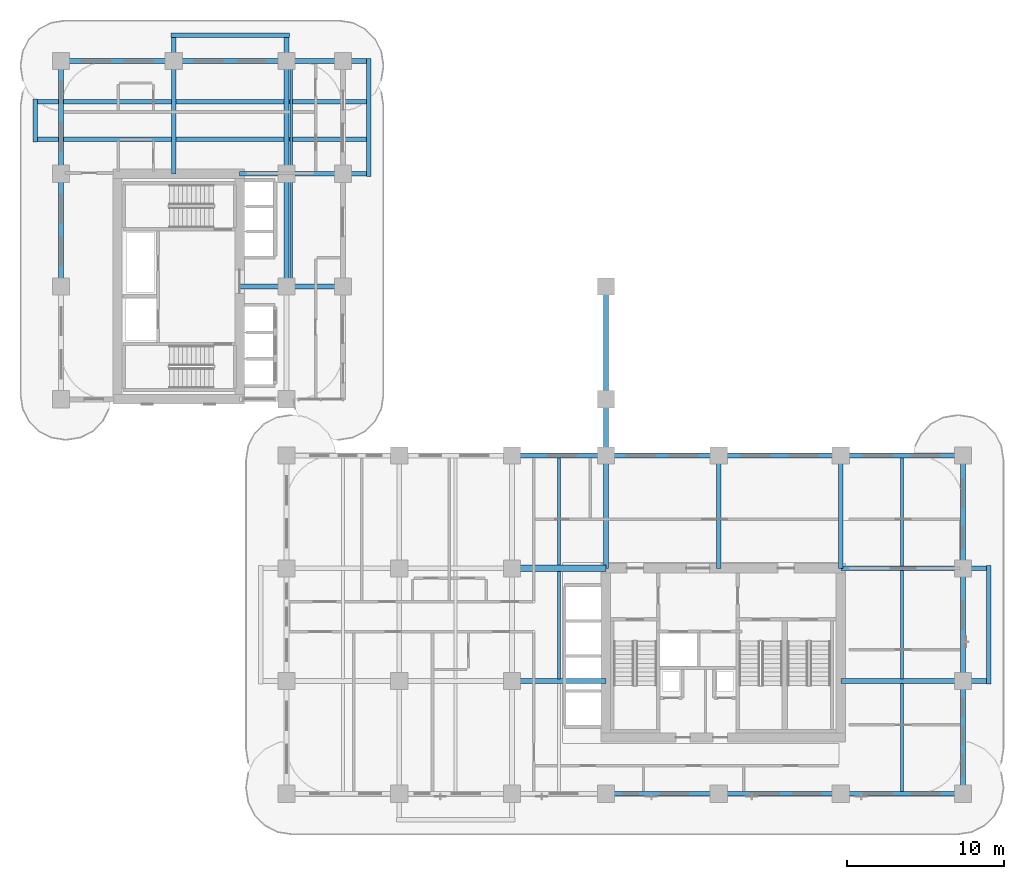
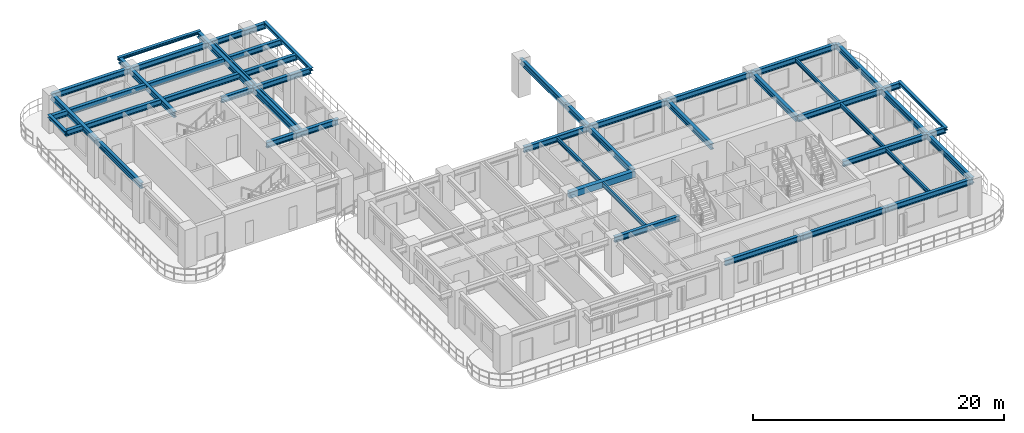
# One storey, part 3 of 19: 41 beams.
"""IFC4 building model written with IfcOpenShell, lengths in metres."""

from ifc_helpers import new_model, si_unit, derived_unit, direction, frame, origin, origin_2d, place, context, subcontext, project, spatial, rectangle, i_section, extrude, source, transform, mapped, material, material_profile, profile_set, type_object, type_shapes, element, save


model = new_model("IFC4")

# Units and contexts
model_context = context("Model", 3, precision=1e-05, world=origin(), true_north=direction((0.0, 1.0)))
body_context = subcontext(model_context, "Body", "Model", "MODEL_VIEW")
ifc_project = project(units=[si_unit("LENGTHUNIT", "METRE"), si_unit("AREAUNIT", "SQUARE_METRE"), si_unit("VOLUMEUNIT", "CUBIC_METRE"), si_unit("PLANEANGLEUNIT", "RADIAN"), si_unit("MASSUNIT", "GRAM", prefix="KILO"), si_unit("THERMODYNAMICTEMPERATUREUNIT", "KELVIN"), si_unit("POWERUNIT", "WATT"), derived_unit("THERMALTRANSMITTANCEUNIT", [(si_unit("POWERUNIT", "WATT"), 1), (si_unit("AREAUNIT", "SQUARE_METRE"), -1), (si_unit("THERMODYNAMICTEMPERATUREUNIT", "KELVIN"), -1)])], contexts=[model_context])

# Site, building, storey
site_placement = place(None, origin())
site = spatial("IfcSite", under=ifc_project, at=site_placement, CompositionType="ELEMENT")
building_placement = place(site_placement, origin())
building = spatial("IfcBuilding", under=site, at=building_placement, Name="Zahravan Archway Hotel and Residences", CompositionType="ELEMENT")
storey_placement = place(building_placement, frame((0.0, 0.0, 54.60009765625)))
storey = spatial("IfcBuildingStorey", under=building, at=storey_placement, Name="L12", CompositionType="ELEMENT", Elevation=54.60009765625)

# Beams
ifc_material_1 = material(Name="Structural Steel S355JR", Category="steel")
ifc_material_profile_1 = material_profile(ifc_material_1, i_section(OverallWidth=0.280029296875, OverallDepth=0.280029296875, WebThickness=0.010498046875, FlangeThickness=0.01806640625, FilletRadius=0.02392578125, at=origin_2d()), Name="HEB 280", Category="steel")
ifc_profile_set_1 = profile_set([ifc_material_profile_1], Name="Structural Steel S355JR")
beam_type_1 = type_object("IfcBeamType", Name="BM-SPN-HEB280", PredefinedType="SPANDREL", material=ifc_profile_set_1)
shared_shape_1 = source(origin(), body_context, "Body", "SweptSolid", [
    extrude(i_section(OverallWidth=0.280029296875, OverallDepth=0.280029296875, WebThickness=0.010498046875, FlangeThickness=0.01806640625, FilletRadius=0.02392578125, at=origin_2d()), origin(), (0.0, 0.0, 1.0), 7.56005859375),
])
type_shapes(beam_type_1, [shared_shape_1])
for number, where, z_axis, x_axis, name in (
    (1, (59.25, 7.02001953125, 3.309814453125), (0.0, 1.0, 0.0), (-1.0, 0.0, 0.0), "L13 EA Balcony Edge Spandrel"),
    (2, (19.64990234375, 39.419921875, 3.309814453125), (0.0, 1.0, 0.0), (-1.0, 0.0, 0.0), "L13 EB Balcony Edge Spandrel"),
    (3, (7.02001953125, 48.449951171875, 3.309814453125), (1.0, 0.0, 0.0), (0.0, 1.0, 0.0), "L13 NB Balcony Edge Spandrel"),
):
    element("IfcBeam", number, at=place(storey_placement, frame(where, z_axis=z_axis, x_axis=x_axis)), inside=storey, type_object=beam_type_1, Name=name, PredefinedType="SPANDREL", context=body_context, shape_type="MappedRepresentation", body=[
        mapped(shared_shape_1, transform((0.0, 0.0, 0.0), scale=1.0)),
    ])
shared_shape_2 = source(origin(), body_context, "Body", "SweptSolid", [
    extrude(i_section(OverallWidth=0.280029296875, OverallDepth=0.280029296875, WebThickness=0.010498046875, FlangeThickness=0.01806640625, FilletRadius=0.02392578125, at=origin_2d()), origin(), (0.0, 0.0, 1.0), 2.759765625),
])
beam_1_placement = place(storey_placement, frame((-1.64990234375, 41.6201171875, 3.309814453125), z_axis=(0.0, 1.0, 0.0), x_axis=(-1.0, 0.0, 0.0)))
element("IfcBeam", 4, at=beam_1_placement, inside=storey, type_object=beam_type_1, Name="L13 WB Balcony Edge Spandrel", PredefinedType="SPANDREL", context=body_context, shape_type="MappedRepresentation", body=[
    mapped(shared_shape_2, transform((0.0, 0.0, 0.0), scale=1.0)),
])
ifc_material_2 = material(Name="Concrete C60/75", Category="concrete")
ifc_material_profile_2 = material_profile(ifc_material_2, rectangle(XDim=0.39990234375, YDim=0.60009765625, at=origin_2d()), Name="RC-LNT-400x600", Category="concrete")
ifc_profile_set_2 = profile_set([ifc_material_profile_2], Name="Concrete C60/75")
beam_type_2 = type_object("IfcBeamType", Name="LNT-RC-400x600", PredefinedType="LINTEL", material=ifc_profile_set_2)
shared_shape_3 = source(origin(), body_context, "Body", "SweptSolid", [
    extrude(rectangle(XDim=0.39990234375, YDim=0.60009765625, at=origin_2d()), origin(), (0.0, 0.0, 1.0), 6.0),
])
type_shapes(beam_type_2, [shared_shape_3])
beam_2_placement = place(storey_placement, frame((28.800048828125, 14.39990234375, 3.14990234375), z_axis=(1.0, 0.0, 0.0), x_axis=(0.0, 1.0, 0.0)))
element("IfcBeam", 5, at=beam_2_placement, inside=storey, type_object=beam_type_2, Name="L12 Core A Coupling Lintel Beam", PredefinedType="LINTEL", context=body_context, shape_type="MappedRepresentation", body=[
    mapped(shared_shape_3, transform((0.0, 0.0, 0.0), scale=1.0)),
])
ifc_material_profile_3 = material_profile(ifc_material_1, i_section(OverallWidth=0.300048828125, OverallDepth=0.550048828125, WebThickness=0.014892578125, FlangeThickness=0.029052734375, FilletRadius=0.027099609375, at=origin_2d()), Name="HEB 550", Category="steel")
ifc_profile_set_3 = profile_set([ifc_material_profile_3], Name="Structural Steel S355JR")
beam_type_3 = type_object("IfcBeamType", Name="BM-PRI-HEB550", PredefinedType="BEAM", material=ifc_profile_set_3)
shared_shape_4 = source(origin(), body_context, "Body", "SweptSolid", [
    extrude(i_section(OverallWidth=0.300048828125, OverallDepth=0.550048828125, WebThickness=0.014892578125, FlangeThickness=0.029052734375, FilletRadius=0.027099609375, at=origin_2d()), origin(), (0.0, 0.0, 1.0), 7.2001953125),
])
type_shapes(beam_type_3, [shared_shape_4])
for number, where, z_axis, x_axis, name in (
    (6, (0.0, 32.39990234375, 3.1748046875), (0.0, 1.0, 0.0), (-1.0, 0.0, 0.0), "L12 Primary Girder NS-28"),
    (7, (14.39990234375, 32.39990234375, 3.1748046875), (0.0, 1.0, 0.0), (-1.0, 0.0, 0.0), "L12 Primary Girder NS-35"),
    (8, (34.800048828125, 14.39990234375, 3.1748046875), (0.0, 1.0, 0.0), (-1.0, 0.0, 0.0), "L12 Primary Girder NS-43"),
    (9, (42.0, 14.39990234375, 3.1748046875), (0.0, 1.0, 0.0), (-1.0, 0.0, 0.0), "L12 Primary Girder NS-46"),
    (10, (49.800048828125, 14.39990234375, 3.1748046875), (0.0, 1.0, 0.0), (-1.0, 0.0, 0.0), "L12 Primary Girder NS-47"),
    (11, (57.60009765625, 14.39990234375, 3.1748046875), (0.0, 1.0, 0.0), (-1.0, 0.0, 0.0), "L12 Primary Girder NS-50"),
):
    element("IfcBeam", number, at=place(storey_placement, frame(where, z_axis=z_axis, x_axis=x_axis)), inside=storey, type_object=beam_type_3, Name=name, PredefinedType="BEAM", context=body_context, shape_type="MappedRepresentation", body=[
        mapped(shared_shape_4, transform((0.0, 0.0, 0.0), scale=1.0)),
    ])
shared_shape_5 = source(origin(), body_context, "Body", "SweptSolid", [
    extrude(i_section(OverallWidth=0.300048828125, OverallDepth=0.550048828125, WebThickness=0.014892578125, FlangeThickness=0.029052734375, FilletRadius=0.027099609375, at=origin_2d()), origin(), (0.0, 0.0, 1.0), 7.199951171875),
])
for number, where, z_axis, x_axis, name in (
    (12, (34.800048828125, 0.0, 3.1748046875), (1.0, 0.0, 0.0), (0.0, 1.0, 0.0), "L12 Primary Girder EW-04"),
    (13, (34.800048828125, 21.60009765625, 3.1748046875), (1.0, 0.0, 0.0), (0.0, 1.0, 0.0), "L12 Primary Girder EW-17"),
    (14, (0.0, 46.800048828125, 3.1748046875), (1.0, 0.0, 0.0), (0.0, 1.0, 0.0), "L12 Primary Girder EW-23"),
    (15, (0.0, 39.60009765625, 3.1748046875), (0.0, 1.0, 0.0), (-1.0, 0.0, 0.0), "L12 Primary Girder NS-29"),
    (16, (34.800048828125, 25.199951171875, 3.1748046875), (0.0, 1.0, 0.0), (-1.0, 0.0, 0.0), "L12 Primary Girder NS-45"),
    (17, (57.60009765625, 0.0, 3.1748046875), (0.0, 1.0, 0.0), (-1.0, 0.0, 0.0), "L12 Primary Girder NS-48"),
    (18, (57.60009765625, 7.199951171875, 3.1748046875), (0.0, 1.0, 0.0), (-1.0, 0.0, 0.0), "L12 Primary Girder NS-49"),
):
    element("IfcBeam", number, at=place(storey_placement, frame(where, z_axis=z_axis, x_axis=x_axis)), inside=storey, type_object=beam_type_3, Name=name, PredefinedType="BEAM", context=body_context, shape_type="MappedRepresentation", body=[
        mapped(shared_shape_5, transform((0.0, 0.0, 0.0), scale=1.0)),
    ])
shared_shape_6 = source(origin(), body_context, "Body", "SweptSolid", [
    extrude(i_section(OverallWidth=0.300048828125, OverallDepth=0.550048828125, WebThickness=0.014892578125, FlangeThickness=0.029052734375, FilletRadius=0.027099609375, at=origin_2d()), origin(), (0.0, 0.0, 1.0), 6.0),
])
for number, where, z_axis, x_axis, name in (
    (19, (28.800048828125, 7.199951171875, 3.1748046875), (1.0, 0.0, 0.0), (0.0, 1.0, 0.0), "L12 Primary Girder EW-09"),
    (20, (28.800048828125, 21.60009765625, 3.1748046875), (1.0, 0.0, 0.0), (0.0, 1.0, 0.0), "L12 Primary Girder EW-16"),
):
    element("IfcBeam", number, at=place(storey_placement, frame(where, z_axis=z_axis, x_axis=x_axis)), inside=storey, type_object=beam_type_3, Name=name, PredefinedType="BEAM", context=body_context, shape_type="MappedRepresentation", body=[
        mapped(shared_shape_6, transform((0.0, 0.0, 0.0), scale=1.0)),
    ])
shared_shape_7 = source(origin(), body_context, "Body", "SweptSolid", [
    extrude(i_section(OverallWidth=0.300048828125, OverallDepth=0.550048828125, WebThickness=0.014892578125, FlangeThickness=0.029052734375, FilletRadius=0.027099609375, at=origin_2d()), origin(), (0.0, 0.0, 1.0), 7.800048828125),
])
for number, where, z_axis, x_axis, name in (
    (21, (42.0, 0.0, 3.1748046875), (1.0, 0.0, 0.0), (0.0, 1.0, 0.0), "L12 Primary Girder EW-05"),
    (22, (49.800048828125, 0.0, 3.1748046875), (1.0, 0.0, 0.0), (0.0, 1.0, 0.0), "L12 Primary Girder EW-06"),
    (23, (42.0, 21.60009765625, 3.1748046875), (1.0, 0.0, 0.0), (0.0, 1.0, 0.0), "L12 Primary Girder EW-18"),
    (24, (49.800048828125, 21.60009765625, 3.1748046875), (1.0, 0.0, 0.0), (0.0, 1.0, 0.0), "L12 Primary Girder EW-19"),
):
    element("IfcBeam", number, at=place(storey_placement, frame(where, z_axis=z_axis, x_axis=x_axis)), inside=storey, type_object=beam_type_3, Name=name, PredefinedType="BEAM", context=body_context, shape_type="MappedRepresentation", body=[
        mapped(shared_shape_7, transform((0.0, 0.0, 0.0), scale=1.0)),
    ])
shared_shape_8 = source(origin(), body_context, "Body", "SweptSolid", [
    extrude(i_section(OverallWidth=0.300048828125, OverallDepth=0.550048828125, WebThickness=0.014892578125, FlangeThickness=0.029052734375, FilletRadius=0.027099609375, at=origin_2d()), origin(), (0.0, 0.0, 1.0), 9.449951171875),
])
for number, where, z_axis, x_axis, name in (
    (25, (49.800048828125, 7.199951171875, 3.1748046875), (1.0, 0.0, 0.0), (0.0, 1.0, 0.0), "L12 Primary Girder EW-10"),
    (26, (49.800048828125, 14.39990234375, 3.1748046875), (1.0, 0.0, 0.0), (0.0, 1.0, 0.0), "L12 Primary Girder EW-13"),
):
    element("IfcBeam", number, at=place(storey_placement, frame(where, z_axis=z_axis, x_axis=x_axis)), inside=storey, type_object=beam_type_3, Name=name, PredefinedType="BEAM", context=body_context, shape_type="MappedRepresentation", body=[
        mapped(shared_shape_8, transform((0.0, 0.0, 0.0), scale=1.0)),
    ])
shared_shape_9 = source(origin(), body_context, "Body", "SweptSolid", [
    extrude(i_section(OverallWidth=0.300048828125, OverallDepth=0.550048828125, WebThickness=0.014892578125, FlangeThickness=0.029052734375, FilletRadius=0.027099609375, at=origin_2d()), origin(), (0.0, 0.0, 1.0), 6.60009765625),
])
beam_3_placement = place(storey_placement, frame((11.39990234375, 32.39990234375, 3.1748046875), z_axis=(1.0, 0.0, 0.0), x_axis=(0.0, 1.0, 0.0)))
element("IfcBeam", 27, at=beam_3_placement, inside=storey, type_object=beam_type_3, Name="L12 Primary Girder EW-21", PredefinedType="BEAM", context=body_context, shape_type="MappedRepresentation", body=[
    mapped(shared_shape_9, transform((0.0, 0.0, 0.0), scale=1.0)),
])
shared_shape_10 = source(origin(), body_context, "Body", "SweptSolid", [
    extrude(i_section(OverallWidth=0.300048828125, OverallDepth=0.550048828125, WebThickness=0.014892578125, FlangeThickness=0.029052734375, FilletRadius=0.027099609375, at=origin_2d()), origin(), (0.0, 0.0, 1.0), 8.25),
])
beam_4_placement = place(storey_placement, frame((11.39990234375, 39.60009765625, 3.1748046875), z_axis=(1.0, 0.0, 0.0), x_axis=(0.0, 1.0, 0.0)))
element("IfcBeam", 28, at=beam_4_placement, inside=storey, type_object=beam_type_3, Name="L12 Primary Girder EW-22", PredefinedType="BEAM", context=body_context, shape_type="MappedRepresentation", body=[
    mapped(shared_shape_10, transform((0.0, 0.0, 0.0), scale=1.0)),
])
shared_shape_11 = source(origin(), body_context, "Body", "SweptSolid", [
    extrude(i_section(OverallWidth=0.300048828125, OverallDepth=0.550048828125, WebThickness=0.014892578125, FlangeThickness=0.029052734375, FilletRadius=0.027099609375, at=origin_2d()), origin(), (0.0, 0.0, 1.0), 12.449951171875),
])
beam_5_placement = place(storey_placement, frame((7.199951171875, 46.800048828125, 3.1748046875), z_axis=(1.0, 0.0, 0.0), x_axis=(0.0, 1.0, 0.0)))
element("IfcBeam", 29, at=beam_5_placement, inside=storey, type_object=beam_type_3, Name="L12 Primary Girder EW-24", PredefinedType="BEAM", context=body_context, shape_type="MappedRepresentation", body=[
    mapped(shared_shape_11, transform((0.0, 0.0, 0.0), scale=1.0)),
])
shared_shape_12 = source(origin(), body_context, "Body", "SweptSolid", [
    extrude(i_section(OverallWidth=0.300048828125, OverallDepth=0.550048828125, WebThickness=0.014892578125, FlangeThickness=0.029052734375, FilletRadius=0.027099609375, at=origin_2d()), origin(), (0.0, 0.0, 1.0), 21.2998046875),
])
for number, where, z_axis, x_axis, name in (
    (30, (-1.64990234375, 41.800048828125, 3.1748046875), (1.0, 0.0, 0.0), (0.0, 1.0, 0.0), "L12 Primary Girder EW-25"),
    (31, (-1.64990234375, 44.199951171875, 3.1748046875), (1.0, 0.0, 0.0), (0.0, 1.0, 0.0), "L12 Primary Girder EW-26"),
):
    element("IfcBeam", number, at=place(storey_placement, frame(where, z_axis=z_axis, x_axis=x_axis)), inside=storey, type_object=beam_type_3, Name=name, PredefinedType="BEAM", context=body_context, shape_type="MappedRepresentation", body=[
        mapped(shared_shape_12, transform((0.0, 0.0, 0.0), scale=1.0)),
    ])
shared_shape_13 = source(origin(), body_context, "Body", "SweptSolid", [
    extrude(i_section(OverallWidth=0.300048828125, OverallDepth=0.550048828125, WebThickness=0.014892578125, FlangeThickness=0.029052734375, FilletRadius=0.027099609375, at=origin_2d()), origin(), (0.0, 0.0, 1.0), 8.849853515625),
])
for number, where, z_axis, x_axis, name in (
    (32, (7.199951171875, 39.60009765625, 3.1748046875), (0.0, 1.0, 0.0), (-1.0, 0.0, 0.0), "L12 Primary Girder NS-30"),
    (33, (14.39990234375, 39.60009765625, 3.1748046875), (0.0, 1.0, 0.0), (-1.0, 0.0, 0.0), "L12 Primary Girder NS-36"),
):
    element("IfcBeam", number, at=place(storey_placement, frame(where, z_axis=z_axis, x_axis=x_axis)), inside=storey, type_object=beam_type_3, Name=name, PredefinedType="BEAM", context=body_context, shape_type="MappedRepresentation", body=[
        mapped(shared_shape_13, transform((0.0, 0.0, 0.0), scale=1.0)),
    ])
shared_shape_14 = source(origin(), body_context, "Body", "SweptSolid", [
    extrude(i_section(OverallWidth=0.300048828125, OverallDepth=0.550048828125, WebThickness=0.014892578125, FlangeThickness=0.029052734375, FilletRadius=0.027099609375, at=origin_2d()), origin(), (0.0, 0.0, 1.0), 3.599853515625),
])
beam_6_placement = place(storey_placement, frame((34.800048828125, 21.60009765625, 3.1748046875), z_axis=(0.0, 1.0, 0.0), x_axis=(-1.0, 0.0, 0.0)))
element("IfcBeam", 34, at=beam_6_placement, inside=storey, type_object=beam_type_3, Name="L12 Primary Girder NS-44", PredefinedType="BEAM", context=body_context, shape_type="MappedRepresentation", body=[
    mapped(shared_shape_14, transform((0.0, 0.0, 0.0), scale=1.0)),
])
ifc_material_profile_4 = material_profile(ifc_material_1, i_section(OverallWidth=0.179931640625, OverallDepth=0.39990234375, WebThickness=0.008544921875, FlangeThickness=0.013427734375, FilletRadius=0.02099609375, at=origin_2d()), Name="IPE 400", Category="steel")
ifc_profile_set_4 = profile_set([ifc_material_profile_4], Name="Structural Steel S355JR")
beam_type_4 = type_object("IfcBeamType", Name="BM-JST-IPE400", PredefinedType="JOIST", material=ifc_profile_set_4)
shared_shape_15 = source(origin(), body_context, "Body", "SweptSolid", [
    extrude(i_section(OverallWidth=0.179931640625, OverallDepth=0.39990234375, WebThickness=0.008544921875, FlangeThickness=0.013427734375, FilletRadius=0.02099609375, at=origin_2d()), origin(), (0.0, 0.0, 1.0), 6.904052734375),
])
type_shapes(beam_type_4, [shared_shape_15])
for number, where, z_axis, x_axis, name in (
    (35, (53.699951171875, 0.14794921875, 3.25), (0.0, 1.0, 0.0), (-1.0, 0.0, 0.0), "L12 Composite Floor Joist 04"),
    (36, (53.699951171875, 7.347900390625, 3.25), (0.0, 1.0, 0.0), (-1.0, 0.0, 0.0), "L12 Composite Floor Joist 08"),
    (37, (14.699951171875, 39.748046875, 3.25), (0.0, 1.0, 0.0), (-1.0, 0.0, 0.0), "L12 Composite Floor Joist 14"),
):
    element("IfcBeam", number, at=place(storey_placement, frame(where, z_axis=z_axis, x_axis=x_axis)), inside=storey, type_object=beam_type_4, Name=name, PredefinedType="JOIST", context=body_context, shape_type="MappedRepresentation", body=[
        mapped(shared_shape_15, transform((0.0, 0.0, 0.0), scale=1.0)),
    ])
shared_shape_16 = source(origin(), body_context, "Body", "SweptSolid", [
    extrude(i_section(OverallWidth=0.179931640625, OverallDepth=0.39990234375, WebThickness=0.008544921875, FlangeThickness=0.013427734375, FilletRadius=0.02099609375, at=origin_2d()), origin(), (0.0, 0.0, 1.0), 6.85400390625),
])
for number, where, z_axis, x_axis, name in (
    (38, (31.800048828125, 7.347900390625, 3.25), (0.0, 1.0, 0.0), (-1.0, 0.0, 0.0), "L12 Composite Floor Joist 07"),
    (39, (31.800048828125, 14.597900390625, 3.25), (0.0, 1.0, 0.0), (-1.0, 0.0, 0.0), "L12 Composite Floor Joist 09"),
):
    element("IfcBeam", number, at=place(storey_placement, frame(where, z_axis=z_axis, x_axis=x_axis)), inside=storey, type_object=beam_type_4, Name=name, PredefinedType="JOIST", context=body_context, shape_type="MappedRepresentation", body=[
        mapped(shared_shape_16, transform((0.0, 0.0, 0.0), scale=1.0)),
    ])
shared_shape_17 = source(origin(), body_context, "Body", "SweptSolid", [
    extrude(i_section(OverallWidth=0.179931640625, OverallDepth=0.39990234375, WebThickness=0.008544921875, FlangeThickness=0.013427734375, FilletRadius=0.02099609375, at=origin_2d()), origin(), (0.0, 0.0, 1.0), 6.90380859375),
])
for number, where, z_axis, x_axis, name in (
    (40, (53.699951171875, 14.548095703125, 3.25), (0.0, 1.0, 0.0), (-1.0, 0.0, 0.0), "L12 Composite Floor Joist 12"),
    (41, (14.699951171875, 32.548095703125, 3.25), (0.0, 1.0, 0.0), (-1.0, 0.0, 0.0), "L12 Composite Floor Joist 13"),
):
    element("IfcBeam", number, at=place(storey_placement, frame(where, z_axis=z_axis, x_axis=x_axis)), inside=storey, type_object=beam_type_4, Name=name, PredefinedType="JOIST", context=body_context, shape_type="MappedRepresentation", body=[
        mapped(shared_shape_17, transform((0.0, 0.0, 0.0), scale=1.0)),
    ])

save(model, "model.ifc")
